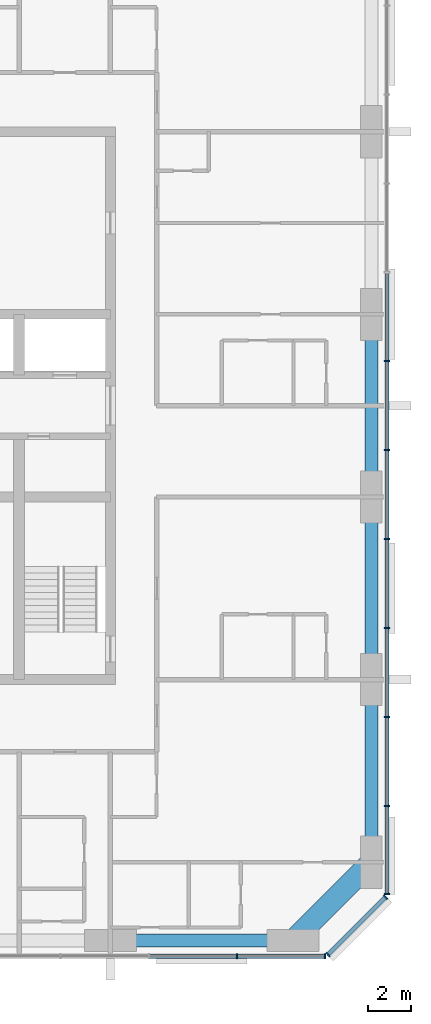
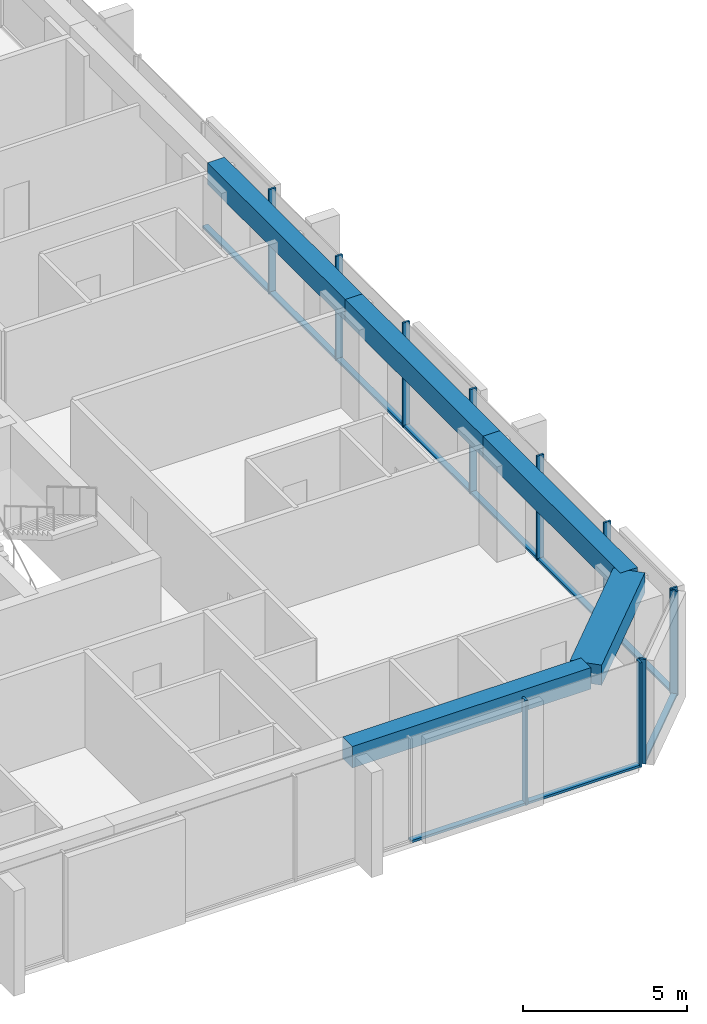
# One storey, part 3 of 12: 21 members, 5 beams, 3 elements without a shape of their own.
"""IFC4 building model written with IfcOpenShell, lengths in metres."""

from ifc_helpers import new_model, si_unit, direction, frame, origin, origin_2d, place, context, subcontext, project, spatial, rectangle, extrude, material, material_profile, profile_set, type_object, element, aggregate, save


model = new_model("IFC4")

# Units and contexts
model_context = context("Model", 3, precision=1e-05, world=origin(), true_north=direction((0.0, 1.0)))
body_context = subcontext(model_context, "Body", "Model", "MODEL_VIEW")
ifc_project = project(units=[si_unit("LENGTHUNIT", "METRE"), si_unit("AREAUNIT", "SQUARE_METRE"), si_unit("VOLUMEUNIT", "CUBIC_METRE"), si_unit("PLANEANGLEUNIT", "RADIAN"), si_unit("MASSUNIT", "GRAM", prefix="KILO")], contexts=[model_context])

# Site, building, storey
site_placement = place(None, origin())
site = spatial("IfcSite", under=ifc_project, at=site_placement, CompositionType="ELEMENT")
building_placement = place(site_placement, origin())
building = spatial("IfcBuilding", under=site, at=building_placement, Name="Dunama Terrace Hotel", CompositionType="ELEMENT")
storey_placement = place(building_placement, frame((0.0, 0.0, 245.10009765625)))
storey = spatial("IfcBuildingStorey", under=building, at=storey_placement, Name="L63", CompositionType="ELEMENT", Elevation=245.10009765625)

# Curtain wall, members
ifc_material_1 = material(Name="Aluminium curtain wall system", Category="aluminium")
curtain_wall_type = type_object("IfcCurtainWallType", Name="Unitised fritted glass wall CW-D", PredefinedType="NOTDEFINED", material=ifc_material_1)
curtain_wall_1_placement = place(storey_placement, origin())
curtain_wall_1 = element("IfcCurtainWall", 1, at=curtain_wall_1_placement, inside=storey, type_object=curtain_wall_type, Name="Unitised fritted glass wall CW-D L63", PredefinedType="NOTDEFINED")
ifc_material_2 = material(Name="Aluminium mullion", Category="aluminium")
ifc_material_profile_1 = material_profile(ifc_material_2, rectangle(XDim=0.070068359375, YDim=0.239990234375, at=origin_2d()), Name="CWD MULLION 70X240")
ifc_profile_set_1 = profile_set([ifc_material_profile_1], Name="Aluminium mullion")
member_type_1 = type_object("IfcMemberType", Name="CWD mullion 70x240", PredefinedType="MULLION", material=ifc_profile_set_1)
member_1_placement = place(storey_placement, frame((47.8330078125, 4.080078125, 0.0), z_axis=(0.0, 0.0, 1.0), x_axis=(1.0, 0.0, 0.0)))
member_1 = element("IfcMember", 2, at=member_1_placement, type_object=member_type_1, Name="CWD mullion", PredefinedType="MULLION", context=body_context, shape_type="SweptSolid", body=[
    extrude(rectangle(XDim=0.070068359375, YDim=0.239990234375, at=origin_2d()), origin(), (0.0, 0.0, 1.0), 3.89990234375),
])
member_2_placement = place(storey_placement, frame((51.864990234375, 4.080078125, 0.0), z_axis=(0.0, 0.0, 1.0), x_axis=(1.0, 0.0, 0.0)))
member_2 = element("IfcMember", 3, at=member_2_placement, type_object=member_type_1, Name="CWD mullion", PredefinedType="MULLION", context=body_context, shape_type="SweptSolid", body=[
    extrude(rectangle(XDim=0.070068359375, YDim=0.239990234375, at=origin_2d()), origin(), (0.0, 0.0, 1.0), 3.89990234375),
])

curtain_wall_2_placement = place(storey_placement, origin())
curtain_wall_2 = element("IfcCurtainWall", 4, at=curtain_wall_2_placement, inside=storey, type_object=curtain_wall_type, Name="Unitised fritted glass wall CW-D L63", PredefinedType="NOTDEFINED")
member_3_placement = place(storey_placement, frame((52.010009765625, 4.139892578125, 0.0), z_axis=(0.0, 0.0, 1.0), x_axis=(0.707106781187, 0.707106781187, 0.0)))
member_3 = element("IfcMember", 5, at=member_3_placement, type_object=member_type_1, Name="CWD mullion", PredefinedType="MULLION", context=body_context, shape_type="SweptSolid", body=[
    extrude(rectangle(XDim=0.070068359375, YDim=0.239990234375, at=origin_2d()), origin(), (0.0, 0.0, 1.0), 3.89990234375),
])
member_4_placement = place(storey_placement, frame((54.659912109375, 6.7900390625, 0.0), z_axis=(0.0, 0.0, 1.0), x_axis=(0.707106781187, 0.707106781187, 0.0)))
member_4 = element("IfcMember", 6, at=member_4_placement, type_object=member_type_1, Name="CWD mullion", PredefinedType="MULLION", context=body_context, shape_type="SweptSolid", body=[
    extrude(rectangle(XDim=0.070068359375, YDim=0.239990234375, at=origin_2d()), origin(), (0.0, 0.0, 1.0), 3.89990234375),
])

curtain_wall_3_placement = place(storey_placement, origin())
curtain_wall_3 = element("IfcCurtainWall", 7, at=curtain_wall_3_placement, inside=storey, type_object=curtain_wall_type, Name="Unitised fritted glass wall CW-D L63", PredefinedType="NOTDEFINED")
member_5_placement = place(storey_placement, frame((54.719970703125, 6.93505859375, 0.0), z_axis=(0.0, 0.0, 1.0), x_axis=(0.0, 1.0, 0.0)))
member_5 = element("IfcMember", 8, at=member_5_placement, type_object=member_type_1, Name="CWD mullion", PredefinedType="MULLION", context=body_context, shape_type="SweptSolid", body=[
    extrude(rectangle(XDim=0.070068359375, YDim=0.239990234375, at=origin_2d()), origin(), (0.0, 0.0, 1.0), 3.89990234375),
])
member_6_placement = place(storey_placement, frame((54.719970703125, 10.990966796875, 0.0), z_axis=(0.0, 0.0, 1.0), x_axis=(0.0, 1.0, 0.0)))
member_6 = element("IfcMember", 9, at=member_6_placement, type_object=member_type_1, Name="CWD mullion", PredefinedType="MULLION", context=body_context, shape_type="SweptSolid", body=[
    extrude(rectangle(XDim=0.070068359375, YDim=0.239990234375, at=origin_2d()), origin(), (0.0, 0.0, 1.0), 3.89990234375),
])
member_7_placement = place(storey_placement, frame((54.719970703125, 15.08203125, 0.0), z_axis=(0.0, 0.0, 1.0), x_axis=(0.0, 1.0, 0.0)))
member_7 = element("IfcMember", 10, at=member_7_placement, type_object=member_type_1, Name="CWD mullion", PredefinedType="MULLION", context=body_context, shape_type="SweptSolid", body=[
    extrude(rectangle(XDim=0.070068359375, YDim=0.239990234375, at=origin_2d()), origin(), (0.0, 0.0, 1.0), 3.89990234375),
])
member_8_placement = place(storey_placement, frame((54.719970703125, 19.173095703125, 0.0), z_axis=(0.0, 0.0, 1.0), x_axis=(0.0, 1.0, 0.0)))
member_8 = element("IfcMember", 11, at=member_8_placement, type_object=member_type_1, Name="CWD mullion", PredefinedType="MULLION", context=body_context, shape_type="SweptSolid", body=[
    extrude(rectangle(XDim=0.070068359375, YDim=0.239990234375, at=origin_2d()), origin(), (0.0, 0.0, 1.0), 3.89990234375),
])
member_9_placement = place(storey_placement, frame((54.719970703125, 23.263916015625, 0.0), z_axis=(0.0, 0.0, 1.0), x_axis=(0.0, 1.0, 0.0)))
member_9 = element("IfcMember", 12, at=member_9_placement, type_object=member_type_1, Name="CWD mullion", PredefinedType="MULLION", context=body_context, shape_type="SweptSolid", body=[
    extrude(rectangle(XDim=0.070068359375, YDim=0.239990234375, at=origin_2d()), origin(), (0.0, 0.0, 1.0), 3.89990234375),
])
member_10_placement = place(storey_placement, frame((54.719970703125, 27.35498046875, 0.0), z_axis=(0.0, 0.0, 1.0), x_axis=(0.0, 1.0, 0.0)))
member_10 = element("IfcMember", 13, at=member_10_placement, type_object=member_type_1, Name="CWD mullion", PredefinedType="MULLION", context=body_context, shape_type="SweptSolid", body=[
    extrude(rectangle(XDim=0.070068359375, YDim=0.239990234375, at=origin_2d()), origin(), (0.0, 0.0, 1.0), 3.89990234375),
])
member_11_placement = place(storey_placement, frame((54.719970703125, 31.445068359375, 0.0), z_axis=(0.0, 0.0, 1.0), x_axis=(0.0, 1.0, 0.0)))
member_11 = element("IfcMember", 14, at=member_11_placement, type_object=member_type_1, Name="CWD mullion", PredefinedType="MULLION", context=body_context, shape_type="SweptSolid", body=[
    extrude(rectangle(XDim=0.070068359375, YDim=0.239990234375, at=origin_2d()), origin(), (0.0, 0.0, 1.0), 3.89990234375),
])

# Member
ifc_material_3 = material(Name="Aluminium transom", Category="aluminium")
ifc_material_profile_2 = material_profile(ifc_material_3, rectangle(XDim=0.199951171875, YDim=0.0849609375, at=origin_2d()), Name="CWD TRANSOM 200X85")
ifc_profile_set_2 = profile_set([ifc_material_profile_2], Name="Aluminium transom")
member_type_2 = type_object("IfcMemberType", Name="CWD transom 200x85", PredefinedType="USERDEFINED", material=ifc_profile_set_2)
member_12_placement = place(storey_placement, frame((43.802001953125, 4.080078125, 0.04248046875), z_axis=(1.0, 0.0, 0.0), x_axis=(0.0, 1.0, 0.0)))
member_12 = element("IfcMember", 15, at=member_12_placement, type_object=member_type_2, Name="CWD transom", ObjectType="TRANSOM", PredefinedType="USERDEFINED", context=body_context, shape_type="SweptSolid", body=[
    extrude(rectangle(XDim=0.199951171875, YDim=0.0849609375, at=origin_2d()), origin(), (0.0, 0.0, 1.0), 3.99609375),
])

member_13_placement = place(storey_placement, frame((47.867919921875, 4.080078125, 0.04248046875), z_axis=(1.0, 0.0, 0.0), x_axis=(0.0, 1.0, 0.0)))
member_13 = element("IfcMember", 16, at=member_13_placement, type_object=member_type_2, Name="CWD transom", ObjectType="TRANSOM", PredefinedType="USERDEFINED", context=body_context, shape_type="SweptSolid", body=[
    extrude(rectangle(XDim=0.199951171875, YDim=0.0849609375, at=origin_2d()), origin(), (0.0, 0.0, 1.0), 3.962158203125),
])

aggregate(curtain_wall_1, [member_1, member_2, member_12, member_13])

member_14_placement = place(storey_placement, frame((52.033935546875, 4.1650390625, 0.04248046875), z_axis=(0.707106781187, 0.707106781187, 0.0), x_axis=(-0.707106781187, 0.707106781187, 0.0)))
member_14 = element("IfcMember", 17, at=member_14_placement, type_object=member_type_2, Name="CWD transom", ObjectType="TRANSOM", PredefinedType="USERDEFINED", context=body_context, shape_type="SweptSolid", body=[
    extrude(rectangle(XDim=0.199951171875, YDim=0.0849609375, at=origin_2d()), origin(), (0.0, 0.0, 1.0), 3.678466796875),
])

aggregate(curtain_wall_2, [member_3, member_4, member_14])

member_15_placement = place(storey_placement, frame((54.719970703125, 6.969970703125, 0.04248046875), z_axis=(0.0, 1.0, 0.0), x_axis=(-1.0, 0.0, 0.0)))
member_15 = element("IfcMember", 18, at=member_15_placement, type_object=member_type_2, Name="CWD transom", ObjectType="TRANSOM", PredefinedType="USERDEFINED", context=body_context, shape_type="SweptSolid", body=[
    extrude(rectangle(XDim=0.199951171875, YDim=0.0849609375, at=origin_2d()), origin(), (0.0, 0.0, 1.0), 3.986083984375),
])

member_16_placement = place(storey_placement, frame((54.719970703125, 11.02587890625, 0.04248046875), z_axis=(0.0, 1.0, 0.0), x_axis=(-1.0, 0.0, 0.0)))
member_16 = element("IfcMember", 19, at=member_16_placement, type_object=member_type_2, Name="CWD transom", ObjectType="TRANSOM", PredefinedType="USERDEFINED", context=body_context, shape_type="SweptSolid", body=[
    extrude(rectangle(XDim=0.199951171875, YDim=0.0849609375, at=origin_2d()), origin(), (0.0, 0.0, 1.0), 4.021240234375),
])

member_17_placement = place(storey_placement, frame((54.719970703125, 15.116943359375, 0.04248046875), z_axis=(0.0, 1.0, 0.0), x_axis=(-1.0, 0.0, 0.0)))
member_17 = element("IfcMember", 20, at=member_17_placement, type_object=member_type_2, Name="CWD transom", ObjectType="TRANSOM", PredefinedType="USERDEFINED", context=body_context, shape_type="SweptSolid", body=[
    extrude(rectangle(XDim=0.199951171875, YDim=0.0849609375, at=origin_2d()), origin(), (0.0, 0.0, 1.0), 4.02099609375),
])

member_18_placement = place(storey_placement, frame((54.719970703125, 19.2080078125, 0.04248046875), z_axis=(0.0, 1.0, 0.0), x_axis=(-1.0, 0.0, 0.0)))
member_18 = element("IfcMember", 21, at=member_18_placement, type_object=member_type_2, Name="CWD transom", ObjectType="TRANSOM", PredefinedType="USERDEFINED", context=body_context, shape_type="SweptSolid", body=[
    extrude(rectangle(XDim=0.199951171875, YDim=0.0849609375, at=origin_2d()), origin(), (0.0, 0.0, 1.0), 4.02099609375),
])

member_19_placement = place(storey_placement, frame((54.719970703125, 23.299072265625, 0.04248046875), z_axis=(0.0, 1.0, 0.0), x_axis=(-1.0, 0.0, 0.0)))
member_19 = element("IfcMember", 22, at=member_19_placement, type_object=member_type_2, Name="CWD transom", ObjectType="TRANSOM", PredefinedType="USERDEFINED", context=body_context, shape_type="SweptSolid", body=[
    extrude(rectangle(XDim=0.199951171875, YDim=0.0849609375, at=origin_2d()), origin(), (0.0, 0.0, 1.0), 4.02099609375),
])

member_20_placement = place(storey_placement, frame((54.719970703125, 27.389892578125, 0.04248046875), z_axis=(0.0, 1.0, 0.0), x_axis=(-1.0, 0.0, 0.0)))
member_20 = element("IfcMember", 23, at=member_20_placement, type_object=member_type_2, Name="CWD transom", ObjectType="TRANSOM", PredefinedType="USERDEFINED", context=body_context, shape_type="SweptSolid", body=[
    extrude(rectangle(XDim=0.199951171875, YDim=0.0849609375, at=origin_2d()), origin(), (0.0, 0.0, 1.0), 4.02001953125),
])

member_21_placement = place(storey_placement, frame((54.719970703125, 31.47998046875, 0.04248046875), z_axis=(0.0, 1.0, 0.0), x_axis=(-1.0, 0.0, 0.0)))
member_21 = element("IfcMember", 24, at=member_21_placement, type_object=member_type_2, Name="CWD transom", ObjectType="TRANSOM", PredefinedType="USERDEFINED", context=body_context, shape_type="SweptSolid", body=[
    extrude(rectangle(XDim=0.199951171875, YDim=0.0849609375, at=origin_2d()), origin(), (0.0, 0.0, 1.0), 4.02099609375),
])

aggregate(curtain_wall_3, [member_5, member_6, member_7, member_8, member_9, member_10, member_11, member_15, member_16, member_17, member_18, member_19, member_20, member_21])

# Beams
ifc_material_4 = material(Name="Concrete C50/60", Category="concrete")
ifc_material_profile_3 = material_profile(ifc_material_4, rectangle(XDim=1.0, YDim=0.75, at=origin_2d()), Name="RC 1000x750")
ifc_profile_set_3 = profile_set([ifc_material_profile_3], Name="Concrete C50/60")
beam_type_1 = type_object("IfcBeamType", Name="Edge beam RC 1000x750", PredefinedType="SPANDREL", material=ifc_profile_set_3)
beam_1_placement = place(storey_placement, frame((50.39990234375, 4.800048828125, 3.52490234375), z_axis=(0.707130757816, 0.707082803744, 0.0), x_axis=(-0.707082803744, 0.707130757816, 0.0)))
element("IfcBeam", 25, at=beam_1_placement, inside=storey, type_object=beam_type_1, Name="Corner edge beam under L64", PredefinedType="SPANDREL", context=body_context, shape_type="SweptSolid", body=[
    extrude(rectangle(XDim=1.0, YDim=0.75, at=origin_2d()), origin(), (0.0, 0.0, 1.0), 5.091064453125),
])
ifc_material_5 = material(Name="Concrete C40/50", Category="concrete")
ifc_material_profile_4 = material_profile(ifc_material_5, rectangle(XDim=0.60009765625, YDim=0.800048828125, at=origin_2d()), Name="RC 600x800")
ifc_profile_set_4 = profile_set([ifc_material_profile_4], Name="Concrete C40/50")
beam_type_2 = type_object("IfcBeamType", Name="Edge beam RC 600x800", PredefinedType="SPANDREL", material=ifc_profile_set_4)
beam_2_placement = place(storey_placement, frame((54.0, 8.39990234375, 3.5), z_axis=(0.0, 1.0, 0.0), x_axis=(-1.0, 0.0, 0.0)))
element("IfcBeam", 26, at=beam_2_placement, inside=storey, type_object=beam_type_2, Name="Edge beam under L64", PredefinedType="SPANDREL", context=body_context, shape_type="SweptSolid", body=[
    extrude(rectangle(XDim=0.60009765625, YDim=0.800048828125, at=origin_2d()), origin(), (0.0, 0.0, 1.0), 8.400146484375),
])
beam_3_placement = place(storey_placement, frame((54.0, 16.800048828125, 3.5), z_axis=(0.0, 1.0, 0.0), x_axis=(-1.0, 0.0, 0.0)))
element("IfcBeam", 27, at=beam_3_placement, inside=storey, type_object=beam_type_2, Name="Edge beam under L64", PredefinedType="SPANDREL", context=body_context, shape_type="SweptSolid", body=[
    extrude(rectangle(XDim=0.60009765625, YDim=0.800048828125, at=origin_2d()), origin(), (0.0, 0.0, 1.0), 8.39990234375),
])
beam_4_placement = place(storey_placement, frame((54.0, 25.199951171875, 3.5), z_axis=(0.0, 1.0, 0.0), x_axis=(-1.0, 0.0, 0.0)))
element("IfcBeam", 28, at=beam_4_placement, inside=storey, type_object=beam_type_2, Name="Edge beam under L64", PredefinedType="SPANDREL", context=body_context, shape_type="SweptSolid", body=[
    extrude(rectangle(XDim=0.60009765625, YDim=0.800048828125, at=origin_2d()), origin(), (0.0, 0.0, 1.0), 8.400146484375),
])
beam_5_placement = place(storey_placement, frame((42.0, 4.800048828125, 3.5), z_axis=(1.0, 0.0, 0.0), x_axis=(0.0, 1.0, 0.0)))
element("IfcBeam", 29, at=beam_5_placement, inside=storey, type_object=beam_type_2, Name="Edge beam under L64", PredefinedType="SPANDREL", context=body_context, shape_type="SweptSolid", body=[
    extrude(rectangle(XDim=0.60009765625, YDim=0.800048828125, at=origin_2d()), origin(), (0.0, 0.0, 1.0), 8.39990234375),
])

save(model, "model.ifc")
